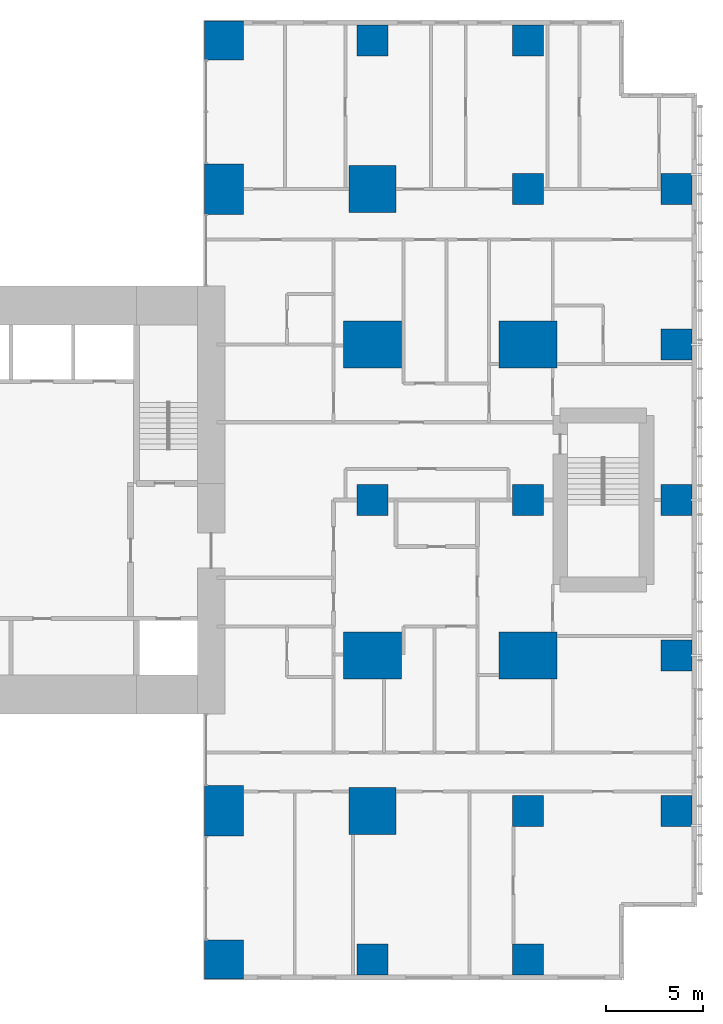
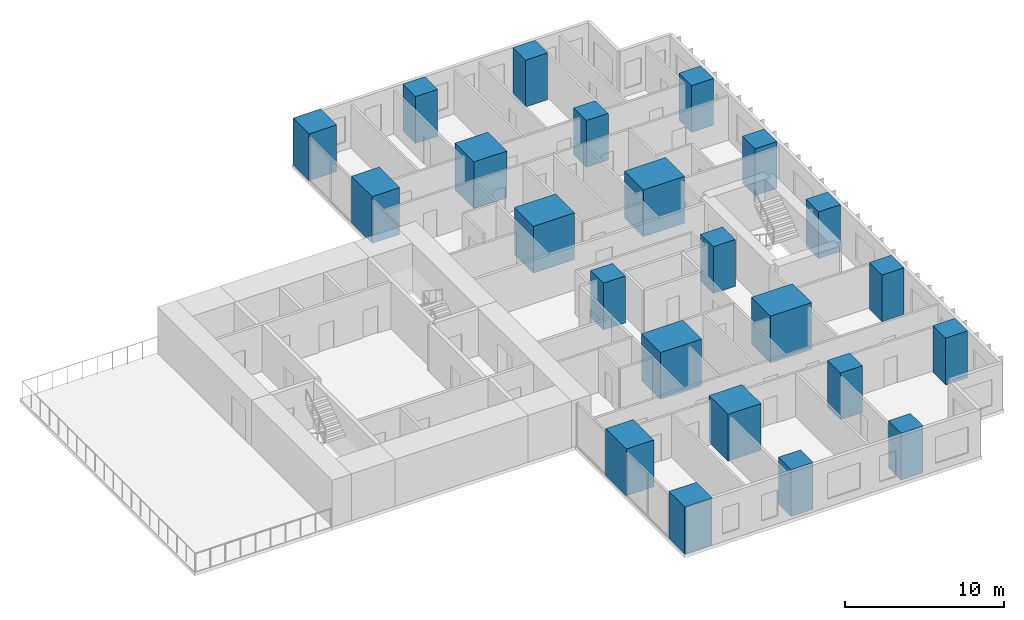
# One storey, part 1 of 14: 23 columns.
"""IFC4 building model written with IfcOpenShell, lengths in metres."""

import ifcopenshell
import ifcopenshell.guid

model = None  # the IFC model being written
_history = None  # IfcOwnerHistory: only IFC2X3 demands one
_inside = {}  # id of a spatial element -> (the spatial element, [elements in it])
_under = {}  # id of a project, library or spatial element -> (it, [spatial elements below it])
_declared = {}  # id of a project -> (the project, [libraries it declares])
_typed = {}  # id of a type object -> (the type object, [elements of that type])
_made_of = {}  # id of a material, layer set ... -> (it, [elements and type objects made of it])


def new_model(schema):
    """Start an empty IFC model of exactly this schema.

    Asked for "IFC4X3", IfcOpenShell would pick the latest addendum, in which some entities
    have other attributes; the version numbers below select the first issue.
    IFC2X3 requires an IfcOwnerHistory on every rooted entity: one is made here for all.
    """
    global model, _history
    if schema == "IFC4X3":
        model = ifcopenshell.file(schema_version=(4, 3, 0, 0))
    else:
        model = ifcopenshell.file(schema=schema)
    _inside.clear()
    _under.clear()
    _declared.clear()
    _typed.clear()
    _made_of.clear()
    _history = None
    if model.schema == "IFC2X3":
        org = make("IfcOrganization", Name="unknown")
        user = make(
            "IfcPersonAndOrganization",
            ThePerson=make("IfcPerson", FamilyName="unknown"),
            TheOrganization=org,
        )
        app = make(
            "IfcApplication",
            ApplicationDeveloper=org,
            Version="unknown",
            ApplicationFullName="unknown",
            ApplicationIdentifier="unknown",
        )
        _history = make(
            "IfcOwnerHistory",
            OwningUser=user,
            OwningApplication=app,
            ChangeAction="ADDED",
            CreationDate=0,
        )
    return model


def make(cls, **values):
    """One entity of the class cls with the attributes given. An attribute that is None is left unset."""
    return model.create_entity(
        cls, **{name: value for name, value in values.items() if value is not None}
    )


def rooted(cls, **values):
    """An entity with a GlobalId (a new one), such as an element, a storey or a relation."""
    return make(cls, GlobalId=ifcopenshell.guid.new(), OwnerHistory=_history, **values)


def si_unit(unit_type, name, prefix=None):
    """IfcSIUnit, for example si_unit("LENGTHUNIT", "METRE", prefix="MILLI")."""
    return make("IfcSIUnit", UnitType=unit_type, Prefix=prefix, Name=name)


def assignment(units):
    """IfcUnitAssignment: the units of a project."""
    return None if units is None else make("IfcUnitAssignment", Units=units)


def point(xyz):
    """IfcCartesianPoint."""
    return None if xyz is None else make("IfcCartesianPoint", Coordinates=xyz)


def direction(xyz):
    """IfcDirection."""
    return None if xyz is None else make("IfcDirection", DirectionRatios=xyz)


def frame(location, z_axis=None, x_axis=None):
    """IfcAxis2Placement3D, a coordinate frame: its origin and axes. An axis left out is left unset."""
    return make(
        "IfcAxis2Placement3D",
        Location=point(location),
        Axis=direction(z_axis),
        RefDirection=direction(x_axis),
    )


def frame_2d(location, x_axis=None):
    """IfcAxis2Placement2D, a coordinate frame in the plane: its origin and x axis."""
    return make(
        "IfcAxis2Placement2D", Location=point(location), RefDirection=direction(x_axis)
    )


def origin():
    """The frame at (0, 0, 0) with its axes left unset."""
    return frame((0.0, 0.0, 0.0))


def origin_2d():
    """The frame at (0, 0) in the plane with its x axis left unset."""
    return frame_2d((0.0, 0.0))


def place(relative_to, where):
    """IfcLocalPlacement: puts the frame where relative to a parent placement (None: the world)."""
    return make(
        "IfcLocalPlacement", PlacementRelTo=relative_to, RelativePlacement=where
    )


def context(
    kind, dimensions, precision=None, world=None, true_north=None, identifier=None
):
    """IfcGeometricRepresentationContext, for example the 3D "Model" context."""
    return make(
        "IfcGeometricRepresentationContext",
        ContextIdentifier=identifier,
        ContextType=kind,
        CoordinateSpaceDimension=dimensions,
        Precision=precision,
        WorldCoordinateSystem=world,
        TrueNorth=true_north,
    )


def subcontext(parent, identifier, kind, view, scale=None):
    """IfcGeometricRepresentationSubContext, for example "Body" below "Model"."""
    return make(
        "IfcGeometricRepresentationSubContext",
        ContextIdentifier=identifier,
        ContextType=kind,
        ParentContext=parent,
        TargetScale=scale,
        TargetView=view,
    )


def project(units=None, contexts=None):
    """IfcProject with its units and contexts."""
    return rooted(
        "IfcProject",
        Name="project",
        RepresentationContexts=contexts,
        UnitsInContext=assignment(units),
    )


def spatial(cls, under=None, at=None, **own):
    """A site, building, storey or space (cls), placed at a placement, below another one or the project."""
    s = rooted(cls, ObjectPlacement=at, **own)
    if under is not None:
        _under.setdefault(under.id(), (under, []))[1].append(s)
    return s


def profile(cls, at=None, kind="AREA", **sizes):
    """A parametric profile (cls). Its sizes go by their IFC names, for example OverallWidth=200.0."""
    return make(cls, ProfileType=kind, Position=at, **sizes)


def rectangle(**sizes):
    """IfcRectangleProfileDef."""
    return profile("IfcRectangleProfileDef", **sizes)


def extrude(swept, where, along, depth):
    """IfcExtrudedAreaSolid: the profile swept, set in the frame where, extruded along a direction by depth."""
    return make(
        "IfcExtrudedAreaSolid",
        SweptArea=swept,
        Position=where,
        ExtrudedDirection=direction(along),
        Depth=depth,
    )


def shape(context_of_items, identifier, shape_type, items):
    """IfcShapeRepresentation: the items that make up one representation, for example the "Body"."""
    return make(
        "IfcShapeRepresentation",
        ContextOfItems=context_of_items,
        RepresentationIdentifier=identifier,
        RepresentationType=shape_type,
        Items=items,
    )


def material(Name=None, Category=None):
    """IfcMaterial."""
    return make("IfcMaterial", Name=Name, Category=Category)


def material_profile(
    of_material, cross_section, Name=None, Category=None, Priority=None
):
    """IfcMaterialProfile: a cross section and its material."""
    return make(
        "IfcMaterialProfile",
        Name=Name,
        Material=of_material,
        Profile=cross_section,
        Priority=Priority,
        Category=Category,
    )


def profile_set(profiles, Name=None, composite=None):
    """IfcMaterialProfileSet."""
    return make(
        "IfcMaterialProfileSet",
        Name=Name,
        MaterialProfiles=profiles,
        CompositeProfile=composite,
    )


def made_of(thing, what):
    """Note that an element or type object is made of a material, layer set ...; save() writes the relation."""
    if what is not None:
        _made_of.setdefault(what.id(), (what, []))[1].append(thing)
    return thing


def type_object(cls, material=None, **own):
    """A type object (cls), such as IfcWallType, which elements share."""
    return made_of(rooted(cls, **own), material)


def element(
    cls,
    number,
    at=None,
    inside=None,
    cuts=None,
    type_object=None,
    material=None,
    context=None,
    identifier="Body",
    shape_type=None,
    held_by="IfcProductDefinitionShape",
    body=None,
    shapes=None,
    **own,
):
    """One element of the class cls, such as IfcWall. Its Tag is "e" and its number.

    at: its placement. inside: the storey or other place that contains it. cuts: it is an
    opening in that element (IfcRelVoidsElement). A single representation is given by context,
    identifier, shape_type and body (its items); several are given by shapes. held_by: the class
    of the entity that holds the representations. save() writes the other relations.
    """
    e = rooted(cls, Tag="e%d" % number, ObjectPlacement=at, **own)
    if body is not None:
        shapes = [shape(context, identifier, shape_type, body)]
    if shapes is not None:
        e.Representation = make(held_by, Representations=shapes)
    if inside is not None:
        _inside.setdefault(inside.id(), (inside, []))[1].append(e)
    if cuts is not None:
        rooted(
            "IfcRelVoidsElement", RelatingBuildingElement=cuts, RelatedOpeningElement=e
        )
    if type_object is not None:
        _typed.setdefault(type_object.id(), (type_object, []))[1].append(e)
    return made_of(e, material)


def aggregate(whole, parts):
    """IfcRelAggregates: a whole, such as a stair, and the parts it consists of."""
    return rooted("IfcRelAggregates", RelatingObject=whole, RelatedObjects=parts)


def save(model, path):
    """Write the relations noted so far, then the file.

    IfcRelAggregates (storeys below a building ...), IfcRelContainedInSpatialStructure (elements
    in a storey), IfcRelDefinesByType, IfcRelAssociatesMaterial and IfcRelDeclares: one each for
    every whole, place, type object, material and project.
    """
    for whole, parts in _under.values():
        aggregate(whole, parts)
    for where, things in _inside.values():
        rooted(
            "IfcRelContainedInSpatialStructure",
            RelatedElements=things,
            RelatingStructure=where,
        )
    for kind, things in _typed.values():
        rooted("IfcRelDefinesByType", RelatedObjects=things, RelatingType=kind)
    for what, things in _made_of.values():
        rooted("IfcRelAssociatesMaterial", RelatedObjects=things, RelatingMaterial=what)
    for by, libraries in _declared.values():
        rooted("IfcRelDeclares", RelatingContext=by, RelatedDefinitions=libraries)
    model.write(path)


model = new_model("IFC4")

# Units and contexts
model_context = context("Model", 3, precision=1e-05, world=origin(), true_north=direction((0.0, 1.0)))
body_context = subcontext(model_context, "Body", "Model", "MODEL_VIEW")
ifc_project = project(units=[si_unit("LENGTHUNIT", "METRE"), si_unit("AREAUNIT", "SQUARE_METRE"), si_unit("VOLUMEUNIT", "CUBIC_METRE"), si_unit("PLANEANGLEUNIT", "RADIAN"), si_unit("MASSUNIT", "GRAM", prefix="KILO")], contexts=[model_context])

# Site, building, storey
site_placement = place(None, origin())
site = spatial("IfcSite", under=ifc_project, at=site_placement, CompositionType="ELEMENT")
building_placement = place(site_placement, origin())
building = spatial("IfcBuilding", under=site, at=building_placement, Name="Cleftline Residences", CompositionType="ELEMENT")
storey_placement = place(building_placement, frame((0.0, 0.0, 230.39990234375)))
storey = spatial("IfcBuildingStorey", under=building, at=storey_placement, Name="L60", CompositionType="ELEMENT", Elevation=230.39990234375)

# Columns
ifc_material_1 = material(Name="Concrete B70", Category="concrete")
ifc_material_profile_1 = material_profile(ifc_material_1, rectangle(XDim=1.60009765625, YDim=1.60009765625, at=origin_2d()))
ifc_profile_set_1 = profile_set([ifc_material_profile_1], Name="Concrete B70")
column_type_1 = type_object("IfcColumnType", Name="COLUMN RC1600X1600", PredefinedType="COLUMN", material=ifc_profile_set_1)
for number, where, z_axis, x_axis, name in (
    (1, (50.0, 0.35009765625, 0.0), (0.0, 0.0, 1.0), (1.0, 0.0, 0.0), "Column C/9"),
    (2, (50.0, 24.0, 0.0), (0.0, 0.0, 1.0), (1.0, 0.0, 0.0), "Column F/9"),
    (3, (50.0, 47.64990234375, 0.0), (0.0, 0.0, 1.0), (1.0, 0.0, 0.0), "Column J/9"),
    (4, (58.0, 0.35009765625, 0.0), (0.0, 0.0, 1.0), (1.0, 0.0, 0.0), "Column C/10"),
    (5, (58.0, 8.0, 0.0), (0.0, 0.0, 1.0), (1.0, 0.0, 0.0), "Column D/10"),
    (6, (58.0, 24.0, 0.0), (0.0, 0.0, 1.0), (1.0, 0.0, 0.0), "Column F/10"),
    (7, (58.0, 40.0, 0.0), (0.0, 0.0, 1.0), (1.0, 0.0, 0.0), "Column H/10"),
    (8, (58.0, 47.64990234375, 0.0), (0.0, 0.0, 1.0), (1.0, 0.0, 0.0), "Column J/10"),
    (9, (65.64990234375, 8.0, 0.0), (0.0, 0.0, 1.0), (1.0, 0.0, 0.0), "Column D/11"),
    (10, (65.64990234375, 16.0, 0.0), (0.0, 0.0, 1.0), (1.0, 0.0, 0.0), "Column E/11"),
    (11, (65.64990234375, 24.0, 0.0), (0.0, 0.0, 1.0), (1.0, 0.0, 0.0), "Column F/11"),
    (12, (65.64990234375, 32.0, 0.0), (0.0, 0.0, 1.0), (1.0, 0.0, 0.0), "Column G/11"),
    (13, (65.64990234375, 40.0, 0.0), (0.0, 0.0, 1.0), (1.0, 0.0, 0.0), "Column H/11"),
):
    element("IfcColumn", number, at=place(storey_placement, frame(where, z_axis=z_axis, x_axis=x_axis)), inside=storey, type_object=column_type_1, Name=name, PredefinedType="COLUMN", context=body_context, shape_type="SweptSolid", body=[
        extrude(rectangle(XDim=1.60009765625, YDim=1.60009765625, at=origin_2d()), origin(), (0.0, 0.0, 1.0), 3.60009765625),
    ])
ifc_material_2 = material(Name="Concrete B70", Category="concrete")
ifc_material_profile_2 = material_profile(ifc_material_2, rectangle(XDim=2.0, YDim=2.0, at=origin_2d()))
ifc_profile_set_2 = profile_set([ifc_material_profile_2], Name="Concrete B70")
column_type_2 = type_object("IfcColumnType", Name="COLUMN RC2000X2000", PredefinedType="COLUMN", material=ifc_profile_set_2)
for number, where, z_axis, x_axis, name in (
    (14, (42.35009765625, 0.35009765625, 0.0), (0.0, 0.0, 1.0), (1.0, 0.0, 0.0), "Column C/8"),
    (15, (42.35009765625, 47.64990234375, 0.0), (0.0, 0.0, 1.0), (1.0, 0.0, 0.0), "Column J/8"),
):
    element("IfcColumn", number, at=place(storey_placement, frame(where, z_axis=z_axis, x_axis=x_axis)), inside=storey, type_object=column_type_2, Name=name, PredefinedType="COLUMN", context=body_context, shape_type="SweptSolid", body=[
        extrude(rectangle(XDim=2.0, YDim=2.0, at=origin_2d()), origin(), (0.0, 0.0, 1.0), 3.60009765625),
    ])
ifc_material_3 = material(Name="Concrete B70", Category="concrete")
ifc_material_profile_3 = material_profile(ifc_material_3, rectangle(XDim=2.0, YDim=2.60009765625, at=origin_2d()))
ifc_profile_set_3 = profile_set([ifc_material_profile_3], Name="Concrete B70")
column_type_3 = type_object("IfcColumnType", Name="COLUMN RC2000X2600", PredefinedType="COLUMN", material=ifc_profile_set_3)
for number, where, z_axis, x_axis, name in (
    (16, (42.35009765625, 8.0, 0.0), (0.0, 0.0, 1.0), (1.0, 0.0, 0.0), "Column D/8"),
    (17, (42.35009765625, 40.0, 0.0), (0.0, 0.0, 1.0), (1.0, 0.0, 0.0), "Column H/8"),
):
    element("IfcColumn", number, at=place(storey_placement, frame(where, z_axis=z_axis, x_axis=x_axis)), inside=storey, type_object=column_type_3, Name=name, PredefinedType="COLUMN", context=body_context, shape_type="SweptSolid", body=[
        extrude(rectangle(XDim=2.0, YDim=2.60009765625, at=origin_2d()), origin(), (0.0, 0.0, 1.0), 3.60009765625),
    ])
ifc_material_4 = material(Name="Concrete B70", Category="concrete")
ifc_material_profile_4 = material_profile(ifc_material_4, rectangle(XDim=2.39990234375, YDim=2.39990234375, at=origin_2d()))
ifc_profile_set_4 = profile_set([ifc_material_profile_4], Name="Concrete B70")
column_type_4 = type_object("IfcColumnType", Name="COLUMN RC2400X2400", PredefinedType="COLUMN", material=ifc_profile_set_4)
for number, where, z_axis, x_axis, name in (
    (18, (50.0, 8.0, 0.0), (0.0, 0.0, 1.0), (1.0, 0.0, 0.0), "Column D/9"),
    (19, (50.0, 40.0, 0.0), (0.0, 0.0, 1.0), (1.0, 0.0, 0.0), "Column H/9"),
):
    element("IfcColumn", number, at=place(storey_placement, frame(where, z_axis=z_axis, x_axis=x_axis)), inside=storey, type_object=column_type_4, Name=name, PredefinedType="COLUMN", context=body_context, shape_type="SweptSolid", body=[
        extrude(rectangle(XDim=2.39990234375, YDim=2.39990234375, at=origin_2d()), origin(), (0.0, 0.0, 1.0), 3.60009765625),
    ])
ifc_material_5 = material(Name="Concrete B70", Category="concrete")
ifc_material_profile_5 = material_profile(ifc_material_5, rectangle(XDim=3.0, YDim=2.39990234375, at=origin_2d()))
ifc_profile_set_5 = profile_set([ifc_material_profile_5], Name="Concrete B70")
column_type_5 = type_object("IfcColumnType", Name="COLUMN RC3000X2400", PredefinedType="COLUMN", material=ifc_profile_set_5)
for number, where, z_axis, x_axis, name in (
    (20, (50.0, 16.0, 0.0), (0.0, 0.0, 1.0), (1.0, 0.0, 0.0), "Column E/9"),
    (21, (50.0, 32.0, 0.0), (0.0, 0.0, 1.0), (1.0, 0.0, 0.0), "Column G/9"),
    (22, (58.0, 16.0, 0.0), (0.0, 0.0, 1.0), (1.0, 0.0, 0.0), "Column E/10"),
    (23, (58.0, 32.0, 0.0), (0.0, 0.0, 1.0), (1.0, 0.0, 0.0), "Column G/10"),
):
    element("IfcColumn", number, at=place(storey_placement, frame(where, z_axis=z_axis, x_axis=x_axis)), inside=storey, type_object=column_type_5, Name=name, PredefinedType="COLUMN", context=body_context, shape_type="SweptSolid", body=[
        extrude(rectangle(XDim=3.0, YDim=2.39990234375, at=origin_2d()), origin(), (0.0, 0.0, 1.0), 3.60009765625),
    ])

save(model, "model.ifc")
